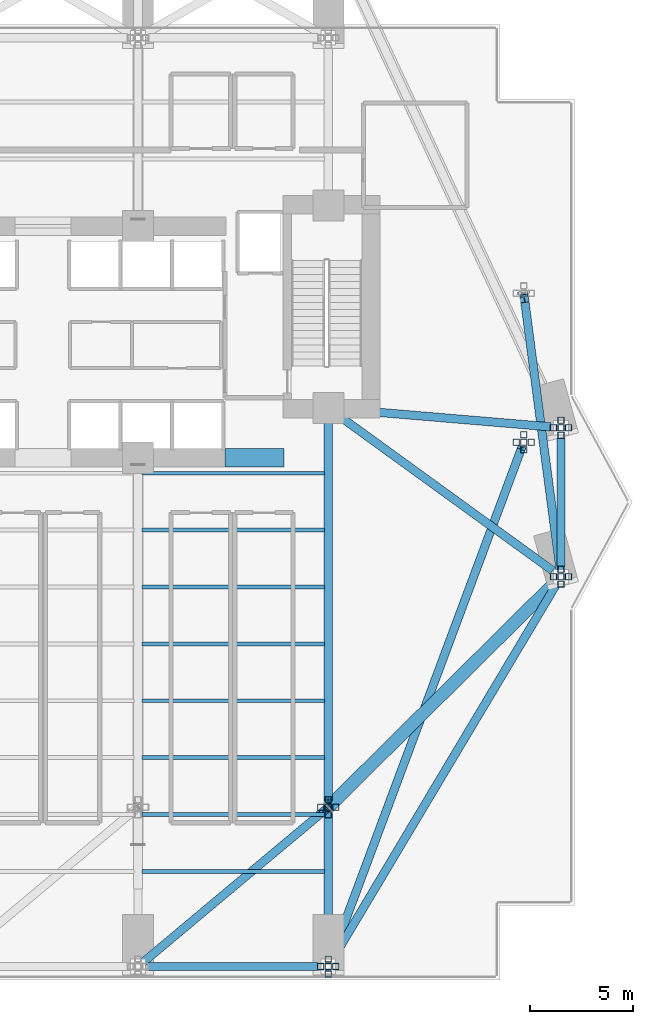
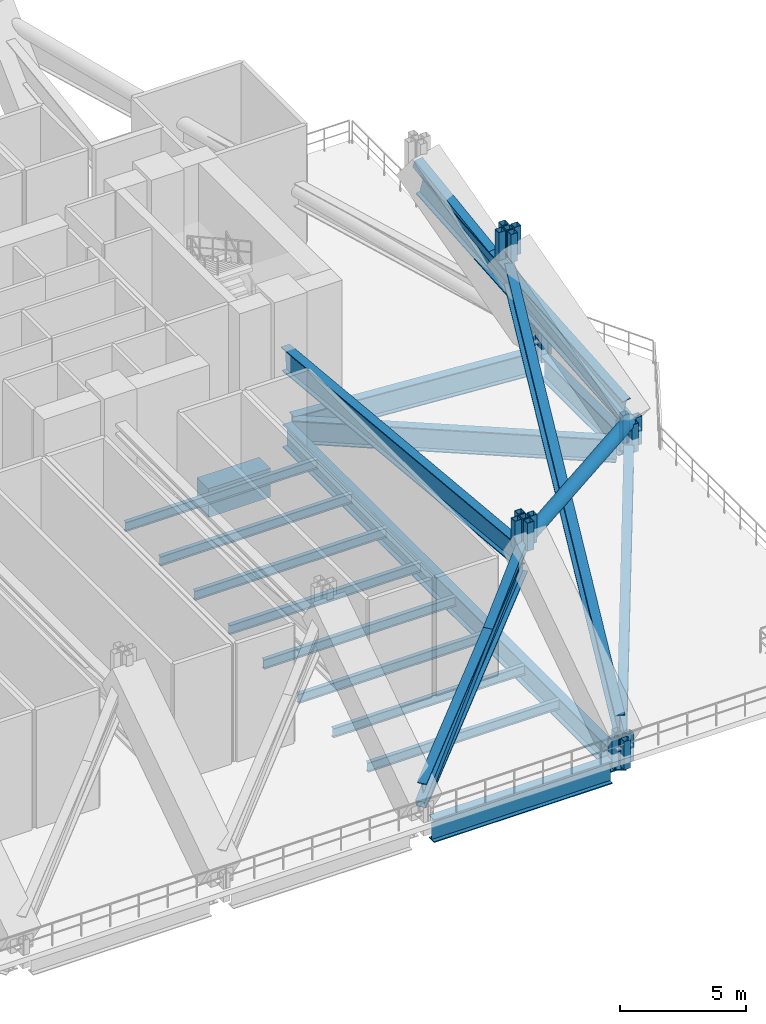
# One storey, part 4 of 21: 28 members, 19 beams.
"""IFC4 building model written with IfcOpenShell, lengths in metres."""

from ifc_helpers import new_model, si_unit, direction, frame, origin, origin_2d, place, context, subcontext, project, spatial, rectangle, hollow_rectangle, hollow_circle, i_section, extrude, material, material_profile, profile_set, type_object, element, save


model = new_model("IFC4")

# Units and contexts
model_context = context("Model", 3, precision=1e-05, world=origin(), true_north=direction((0.0, 1.0)))
body_context = subcontext(model_context, "Body", "Model", "MODEL_VIEW")
ifc_project = project(units=[si_unit("LENGTHUNIT", "METRE"), si_unit("AREAUNIT", "SQUARE_METRE"), si_unit("VOLUMEUNIT", "CUBIC_METRE"), si_unit("PLANEANGLEUNIT", "RADIAN"), si_unit("MASSUNIT", "GRAM", prefix="KILO")], contexts=[model_context])

# Site, building, storey
site_placement = place(None, origin())
site = spatial("IfcSite", under=ifc_project, at=site_placement, CompositionType="ELEMENT")
building_placement = place(site_placement, origin())
building = spatial("IfcBuilding", under=site, at=building_placement, Name="Zuhayl Quay Hotel", CompositionType="ELEMENT")
storey_placement = place(building_placement, frame((0.0, 0.0, 89.64990234375)))
storey = spatial("IfcBuildingStorey", under=building, at=storey_placement, Name="L22", CompositionType="ELEMENT", Elevation=89.64990234375)

# Beams
ifc_material_1 = material(Name="Concrete C60/75", Category="concrete")
ifc_material_profile_1 = material_profile(ifc_material_1, rectangle(XDim=0.89990234375, YDim=1.39990234375, at=origin_2d()), Name="RC900X1400")
ifc_profile_set_1 = profile_set([ifc_material_profile_1], Name="Concrete C60/75")
beam_type_1 = type_object("IfcBeamType", Name="BM_CB1_RC900", PredefinedType="T_BEAM", material=ifc_profile_set_1)
beam_1_placement = place(storey_placement, frame((8.800048828125, 2.14990234375, -0.9599609375), z_axis=(1.0, 0.0, 0.0), x_axis=(0.0, 1.0, 0.0)))
element("IfcBeam", 1, at=beam_1_placement, inside=storey, type_object=beam_type_1, Name="L22 Core Coupling Beam SE", PredefinedType="T_BEAM", context=body_context, shape_type="SweptSolid", body=[
    extrude(rectangle(XDim=0.89990234375, YDim=1.39990234375, at=origin_2d()), origin(), (0.0, 0.0, 1.0), 2.849853515625),
])
ifc_material_2 = material(Name="Steel ASTM A992 Grade 50", Category="steel")
ifc_material_profile_2 = material_profile(ifc_material_2, i_section(OverallWidth=0.18994140625, OverallDepth=0.45703125, WebThickness=0.009033203125, FlangeThickness=0.014404296875, at=origin_2d()), Name="W18X50")
ifc_profile_set_2 = profile_set([ifc_material_profile_2], Name="Steel ASTM A992 Grade 50")
beam_type_2 = type_object("IfcBeamType", Name="BM_J2_W18X50", PredefinedType="JOIST", material=ifc_profile_set_2)
for number, where, z_axis, x_axis, name in (
    (2, (4.7939453125, -17.85009765625, -0.48828125), (1.0, 0.0, 0.0), (0.0, 1.0, 0.0), "L22 Floor Beam FJ_L22_3_3"),
    (3, (4.7939453125, -15.10009765625, -0.48828125), (1.0, 0.0, 0.0), (0.0, 1.0, 0.0), "L22 Floor Beam FJ_L22_4_3"),
    (4, (4.7939453125, -12.35009765625, -0.48828125), (1.0, 0.0, 0.0), (0.0, 1.0, 0.0), "L22 Floor Beam FJ_L22_5_3"),
    (5, (4.7939453125, -9.60009765625, -0.48828125), (1.0, 0.0, 0.0), (0.0, 1.0, 0.0), "L22 Floor Beam FJ_L22_6_3"),
    (6, (4.7939453125, -6.85009765625, -0.48828125), (1.0, 0.0, 0.0), (0.0, 1.0, 0.0), "L22 Floor Beam FJ_L22_7_3"),
    (7, (4.7939453125, -4.10009765625, -0.48828125), (1.0, 0.0, 0.0), (0.0, 1.0, 0.0), "L22 Floor Beam FJ_L22_8_3"),
    (8, (4.7939453125, -1.35009765625, -0.48828125), (1.0, 0.0, 0.0), (0.0, 1.0, 0.0), "L22 Floor Beam FJ_L22_9_3"),
    (9, (4.7939453125, 1.39990234375, -0.48828125), (1.0, 0.0, 0.0), (0.0, 1.0, 0.0), "L22 Floor Beam FJ_L22_10_3"),
):
    element("IfcBeam", number, at=place(storey_placement, frame(where, z_axis=z_axis, x_axis=x_axis)), inside=storey, type_object=beam_type_2, Name=name, PredefinedType="JOIST", context=body_context, shape_type="SweptSolid", body=[
        extrude(i_section(OverallWidth=0.18994140625, OverallDepth=0.45703125, WebThickness=0.009033203125, FlangeThickness=0.014404296875, at=origin_2d()), origin(), (0.0, 0.0, 1.0), 8.81201171875),
    ])
ifc_material_3 = material(Name="Steel ASTM A913 Grade 65", Category="steel")
ifc_material_profile_3 = material_profile(ifc_material_3, i_section(OverallWidth=0.404052734375, OverallDepth=1.117919921875, WebThickness=0.026123046875, FlangeThickness=0.044921875, at=origin_2d()), Name="W44X335")
ifc_profile_set_3 = profile_set([ifc_material_profile_3], Name="Steel ASTM A913 Grade 65")
beam_type_3 = type_object("IfcBeamType", Name="BM_TG1_W44X335", PredefinedType="BEAM", material=ifc_profile_set_3)
beam_2_placement = place(storey_placement, frame((5.10009765625, -22.449951171875, -0.81884765625), z_axis=(1.0, 0.0, 0.0), x_axis=(0.0, 1.0, 0.0)))
element("IfcBeam", 10, at=beam_2_placement, inside=storey, type_object=beam_type_3, Name="L22 Floor Beam RG_L22_03", PredefinedType="BEAM", context=body_context, shape_type="SweptSolid", body=[
    extrude(i_section(OverallWidth=0.404052734375, OverallDepth=1.117919921875, WebThickness=0.026123046875, FlangeThickness=0.044921875, at=origin_2d()), origin(), (0.0, 0.0, 1.0), 8.199951171875),
])
beam_3_placement = place(storey_placement, frame((14.05615234375, -22.020751953125, -0.81884765625), z_axis=(0.512482593247, 0.85869761361, 0.0), x_axis=(-0.85869761361, 0.512482593247, 0.0)))
element("IfcBeam", 11, at=beam_3_placement, inside=storey, type_object=beam_type_3, Name="L22 Floor Beam RG_L22_04", PredefinedType="BEAM", context=body_context, shape_type="SweptSolid", body=[
    extrude(i_section(OverallWidth=0.404052734375, OverallDepth=1.117919921875, WebThickness=0.026123046875, FlangeThickness=0.044921875, at=origin_2d()), origin(), (0.0, 0.0, 1.0), 20.9521484375),
])
beam_4_placement = place(storey_placement, frame((25.050048828125, -3.10009765625, -0.81884765625), z_axis=(0.0, 1.0, 0.0), x_axis=(-1.0, 0.0, 0.0)))
element("IfcBeam", 12, at=beam_4_placement, inside=storey, type_object=beam_type_3, Name="L22 Floor Beam RG_L22_05", PredefinedType="BEAM", context=body_context, shape_type="SweptSolid", body=[
    extrude(i_section(OverallWidth=0.404052734375, OverallDepth=1.117919921875, WebThickness=0.026123046875, FlangeThickness=0.044921875, at=origin_2d()), origin(), (0.0, 0.0, 1.0), 6.2001953125),
])
beam_5_placement = place(storey_placement, frame((4.830078125, -22.257568359375, 0.9501953125), z_axis=(0.729927334205, 0.610950687603, 0.306505047427), x_axis=(-0.641843222596, 0.766835887011, 0.0)))
element("IfcBeam", 13, at=beam_5_placement, inside=storey, type_object=beam_type_3, Name="L22 Wind-Floor Inclined Belt Girder 03", PredefinedType="BEAM", context=body_context, shape_type="SweptSolid", body=[
    extrude(i_section(OverallWidth=0.404052734375, OverallDepth=1.117919921875, WebThickness=0.026123046875, FlangeThickness=0.044921875, at=origin_2d()), origin(), (0.0, 0.0, 1.0), 11.973388671875),
])
beam_6_placement = place(storey_placement, frame((13.90478515625, -22.1689453125, 0.9501953125), z_axis=(0.345987831185, 0.928122024045, 0.137411532098), x_axis=(-0.937010464325, 0.349301287924, 0.0)))
element("IfcBeam", 14, at=beam_6_placement, inside=storey, type_object=beam_type_3, Name="L22 Wind-Floor Inclined Belt Girder 04", PredefinedType="BEAM", context=body_context, shape_type="SweptSolid", body=[
    extrude(i_section(OverallWidth=0.404052734375, OverallDepth=1.117919921875, WebThickness=0.026123046875, FlangeThickness=0.044921875, at=origin_2d()), origin(), (0.0, 0.0, 1.0), 26.70751953125),
])
beam_7_placement = place(storey_placement, frame((25.010986328125, -3.302490234375, 0.9501953125), z_axis=(-0.125526172745, 0.95533728918, 0.267532883695), x_axis=(-0.991477917921, -0.130274856647, 0.0)))
element("IfcBeam", 15, at=beam_7_placement, inside=storey, type_object=beam_type_3, Name="L22 Wind-Floor Inclined Belt Girder 05", PredefinedType="BEAM", context=body_context, shape_type="SweptSolid", body=[
    extrude(i_section(OverallWidth=0.404052734375, OverallDepth=1.117919921875, WebThickness=0.026123046875, FlangeThickness=0.044921875, at=origin_2d()), origin(), (0.0, 0.0, 1.0), 13.717529296875),
])
beam_8_placement = place(storey_placement, frame((13.800048828125, 4.199951171875, 2.85009765625), z_axis=(0.0, -0.995502517166, 0.094735095484), x_axis=(1.0, 0.0, 0.0)))
element("IfcBeam", 16, at=beam_8_placement, inside=storey, type_object=beam_type_3, Name="L22 Wind-Floor Inclined Outrigger Girder 4", PredefinedType="BEAM", context=body_context, shape_type="SweptSolid", body=[
    extrude(i_section(OverallWidth=0.404052734375, OverallDepth=1.117919921875, WebThickness=0.026123046875, FlangeThickness=0.044921875, at=origin_2d()), origin(), (0.0, 0.0, 1.0), 18.683837890625),
])
beam_9_placement = place(storey_placement, frame((13.800048828125, -21.949951171875, -0.81884765625), z_axis=(0.0, 1.0, 0.0), x_axis=(-1.0, 0.0, 0.0)))
element("IfcBeam", 17, at=beam_9_placement, inside=storey, type_object=beam_type_3, Name="L22 Floor Beam FG_S_L22_4", PredefinedType="BEAM", context=body_context, shape_type="SweptSolid", body=[
    extrude(i_section(OverallWidth=0.404052734375, OverallDepth=1.117919921875, WebThickness=0.026123046875, FlangeThickness=0.044921875, at=origin_2d()), origin(), (0.0, 0.0, 1.0), 26.050048828125),
])
beam_10_placement = place(storey_placement, frame((14.164306640625, 4.285888671875, -0.81884765625), z_axis=(0.809830244688, -0.586664277751, 0.0), x_axis=(0.586664277751, 0.809830244688, 0.0)))
element("IfcBeam", 18, at=beam_10_placement, inside=storey, type_object=beam_type_3, Name="L22 Floor Beam FG_E_L22_1", PredefinedType="BEAM", context=body_context, shape_type="SweptSolid", body=[
    extrude(i_section(OverallWidth=0.404052734375, OverallDepth=1.117919921875, WebThickness=0.026123046875, FlangeThickness=0.044921875, at=origin_2d()), origin(), (0.0, 0.0, 1.0), 12.94189453125),
])
beam_11_placement = place(storey_placement, frame((14.248291015625, 4.51220703125, -0.81884765625), z_axis=(0.996453145398, -0.084149444594, 0.0), x_axis=(0.084149444594, 0.996453145398, 0.0)))
element("IfcBeam", 19, at=beam_11_placement, inside=storey, type_object=beam_type_3, Name="L22 Floor Beam FG_E_L22_2", PredefinedType="BEAM", context=body_context, shape_type="SweptSolid", body=[
    extrude(i_section(OverallWidth=0.404052734375, OverallDepth=1.117919921875, WebThickness=0.026123046875, FlangeThickness=0.044921875, at=origin_2d()), origin(), (0.0, 0.0, 1.0), 10.340087890625),
])

# Members
ifc_material_4 = material(Name="Steel ASTM A500 Grade C", Category="steel")
ifc_material_profile_4 = material_profile(ifc_material_4, hollow_rectangle(XDim=0.39990234375, YDim=0.39990234375, WallThickness=0.01611328125, at=origin_2d()), Name="HSS400X400X16")
ifc_profile_set_4 = profile_set([ifc_material_profile_4], Name="Steel ASTM A500 Grade C")
member_type_1 = type_object("IfcMemberType", Name="MB_BT_DIAG_HSS400", PredefinedType="BRACE", material=ifc_profile_set_4)
member_1_placement = place(storey_placement, frame((4.60009765625, -22.449951171875, 0.550048828125), z_axis=(0.709918879163, 0.594170621498, 0.378122278578), x_axis=(-0.641822293965, 0.766853403833, 0.0)))
element("IfcMember", 20, at=member_1_placement, inside=storey, type_object=member_type_1, Name="L22 Belt Truss BT1 Diagonal S34", PredefinedType="BRACE", context=body_context, shape_type="SweptSolid", body=[
    extrude(hollow_rectangle(XDim=0.39990234375, YDim=0.39990234375, WallThickness=0.01611328125, at=origin_2d()), origin(), (0.0, 0.0, 1.0), 12.959228515625),
])
member_2_placement = place(storey_placement, frame((25.050048828125, -3.60009765625, 0.550048828125), z_axis=(-0.122777455703, 0.934460830626, 0.33422844343), x_axis=(-0.991478693976, -0.130268950222, 0.0)))
element("IfcMember", 21, at=member_2_placement, inside=storey, type_object=member_type_1, Name="L22 Belt Truss BT1 Diagonal E12", PredefinedType="BRACE", context=body_context, shape_type="SweptSolid", body=[
    extrude(hollow_rectangle(XDim=0.39990234375, YDim=0.39990234375, WallThickness=0.01611328125, at=origin_2d()), origin(), (0.0, 0.0, 1.0), 14.6611328125),
])
ifc_material_profile_5 = material_profile(ifc_material_4, hollow_rectangle(XDim=0.300048828125, YDim=0.300048828125, WallThickness=0.012451171875, at=origin_2d()), Name="HSS300X300X12")
ifc_profile_set_5 = profile_set([ifc_material_profile_5], Name="Steel ASTM A500 Grade C")
member_type_2 = type_object("IfcMemberType", Name="MB_CR_BRACE_HSS300", PredefinedType="BRACE", material=ifc_profile_set_5)
for number, where, z_axis, x_axis, name in (
    (22, (13.800048828125, -22.449951171875, -0.64990234375), (0.0, 0.0, 1.0), (1.0, 0.0, 0.0), "L22 Mega-Column Lower Knuckle Leg MC_S4-1"),
    (23, (13.800048828125, -14.75, 5.280029296875), (0.0, 0.0, 1.0), (1.0, 0.0, 0.0), "L22 Mega-Column Upper Knuckle Leg MC_S4-1"),
    (24, (13.800048828125, -22.090087890625, -0.64990234375), (0.0, 0.0, 1.0), (1.0, 0.0, 0.0), "L22 Mega-Column Lower Knuckle Leg MC_S4-2"),
    (25, (13.800048828125, -14.389892578125, 5.280029296875), (0.0, 0.0, 1.0), (1.0, 0.0, 0.0), "L22 Mega-Column Upper Knuckle Leg MC_S4-2"),
    (26, (13.800048828125, -22.81005859375, -0.64990234375), (0.0, 0.0, 1.0), (1.0, 0.0, 0.0), "L22 Mega-Column Lower Knuckle Leg MC_S4-3"),
    (27, (13.800048828125, -15.110107421875, 5.280029296875), (0.0, 0.0, 1.0), (1.0, 0.0, 0.0), "L22 Mega-Column Upper Knuckle Leg MC_S4-3"),
    (28, (14.159912109375, -22.449951171875, -0.64990234375), (0.0, 0.0, 1.0), (1.0, 0.0, 0.0), "L22 Mega-Column Lower Knuckle Leg MC_S4-4"),
    (29, (14.159912109375, -14.75, 5.280029296875), (0.0, 0.0, 1.0), (1.0, 0.0, 0.0), "L22 Mega-Column Upper Knuckle Leg MC_S4-4"),
    (30, (13.43994140625, -22.449951171875, -0.64990234375), (0.0, 0.0, 1.0), (1.0, 0.0, 0.0), "L22 Mega-Column Lower Knuckle Leg MC_S4-5"),
    (31, (13.43994140625, -14.75, 5.280029296875), (0.0, 0.0, 1.0), (1.0, 0.0, 0.0), "L22 Mega-Column Upper Knuckle Leg MC_S4-5"),
    (32, (25.050048828125, -3.60009765625, -0.64990234375), (0.0, 0.0, 1.0), (1.0, 0.0, 0.0), "L22 Mega-Column Lower Knuckle Leg MC_E1-1"),
    (33, (23.25, 2.89990234375, 5.280029296875), (0.0, 0.0, 1.0), (1.0, 0.0, 0.0), "L22 Mega-Column Upper Knuckle Leg MC_E1-1"),
    (34, (25.050048828125, -3.239990234375, -0.64990234375), (0.0, 0.0, 1.0), (1.0, 0.0, 0.0), "L22 Mega-Column Lower Knuckle Leg MC_E1-2"),
    (35, (23.25, 3.260009765625, 5.280029296875), (0.0, 0.0, 1.0), (1.0, 0.0, 0.0), "L22 Mega-Column Upper Knuckle Leg MC_E1-2"),
    (36, (25.050048828125, -3.9599609375, -0.64990234375), (0.0, 0.0, 1.0), (1.0, 0.0, 0.0), "L22 Mega-Column Lower Knuckle Leg MC_E1-3"),
    (37, (23.25, 2.5400390625, 5.280029296875), (0.0, 0.0, 1.0), (1.0, 0.0, 0.0), "L22 Mega-Column Upper Knuckle Leg MC_E1-3"),
    (38, (25.409912109375, -3.60009765625, -0.64990234375), (0.0, 0.0, 1.0), (1.0, 0.0, 0.0), "L22 Mega-Column Lower Knuckle Leg MC_E1-4"),
    (39, (23.610107421875, 2.89990234375, 5.280029296875), (0.0, 0.0, 1.0), (1.0, 0.0, 0.0), "L22 Mega-Column Upper Knuckle Leg MC_E1-4"),
    (40, (24.68994140625, -3.60009765625, -0.64990234375), (0.0, 0.0, 1.0), (1.0, 0.0, 0.0), "L22 Mega-Column Lower Knuckle Leg MC_E1-5"),
    (41, (22.889892578125, 2.89990234375, 5.280029296875), (0.0, 0.0, 1.0), (1.0, 0.0, 0.0), "L22 Mega-Column Upper Knuckle Leg MC_E1-5"),
    (42, (25.050048828125, 3.60009765625, -0.64990234375), (0.0, 0.0, 1.0), (1.0, 0.0, 0.0), "L22 Mega-Column Lower Knuckle Leg MC_E2-1"),
    (43, (25.050048828125, 3.9599609375, -0.64990234375), (0.0, 0.0, 1.0), (1.0, 0.0, 0.0), "L22 Mega-Column Lower Knuckle Leg MC_E2-2"),
    (44, (25.050048828125, 3.239990234375, -0.64990234375), (0.0, 0.0, 1.0), (1.0, 0.0, 0.0), "L22 Mega-Column Lower Knuckle Leg MC_E2-3"),
    (45, (25.409912109375, 3.60009765625, -0.64990234375), (0.0, 0.0, 1.0), (1.0, 0.0, 0.0), "L22 Mega-Column Lower Knuckle Leg MC_E2-4"),
    (46, (24.68994140625, 3.60009765625, -0.64990234375), (0.0, 0.0, 1.0), (1.0, 0.0, 0.0), "L22 Mega-Column Lower Knuckle Leg MC_E2-5"),
):
    element("IfcMember", number, at=place(storey_placement, frame(where, z_axis=z_axis, x_axis=x_axis)), inside=storey, type_object=member_type_2, Name=name, PredefinedType="STRUT", context=body_context, shape_type="SweptSolid", body=[
        extrude(hollow_rectangle(XDim=0.300048828125, YDim=0.300048828125, WallThickness=0.012451171875, at=origin_2d()), origin(), (0.0, 0.0, 1.0), 1.3701171875),
    ])
ifc_material_profile_6 = material_profile(ifc_material_4, hollow_circle(Radius=0.304931640625, WallThickness=0.02001953125, at=origin_2d()), Name="CHS610X20")
ifc_profile_set_6 = profile_set([ifc_material_profile_6], Name="Steel ASTM A500 Grade C")
member_type_3 = type_object("IfcMemberType", Name="MB_ST_CHS610", PredefinedType="STRUT", material=ifc_profile_set_6)
member_3_placement = place(storey_placement, frame((25.050048828125, -3.60009765625, 0.550048828125), z_axis=(-0.678530991171, -0.672493714556, 0.29554677786), x_axis=(0.703939929527, -0.710259512866, 0.0)))
element("IfcMember", 47, at=member_3_placement, inside=storey, type_object=member_type_3, Name="L22 Wind-Floor Corner Mega-Strut SE", PredefinedType="STRUT", context=body_context, shape_type="SweptSolid", body=[
    extrude(hollow_circle(Radius=0.304931640625, WallThickness=0.02001953125, at=origin_2d()), origin(), (0.0, 0.0, 1.0), 16.579833984375),
])

save(model, "model.ifc")
